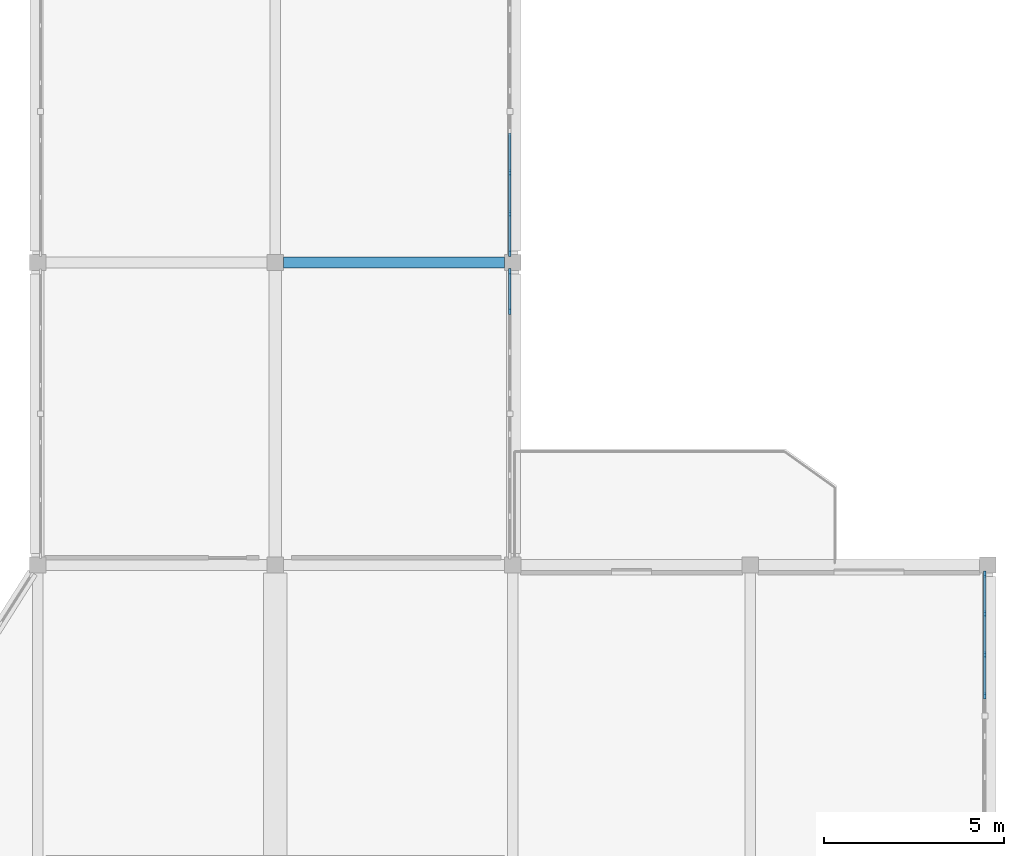
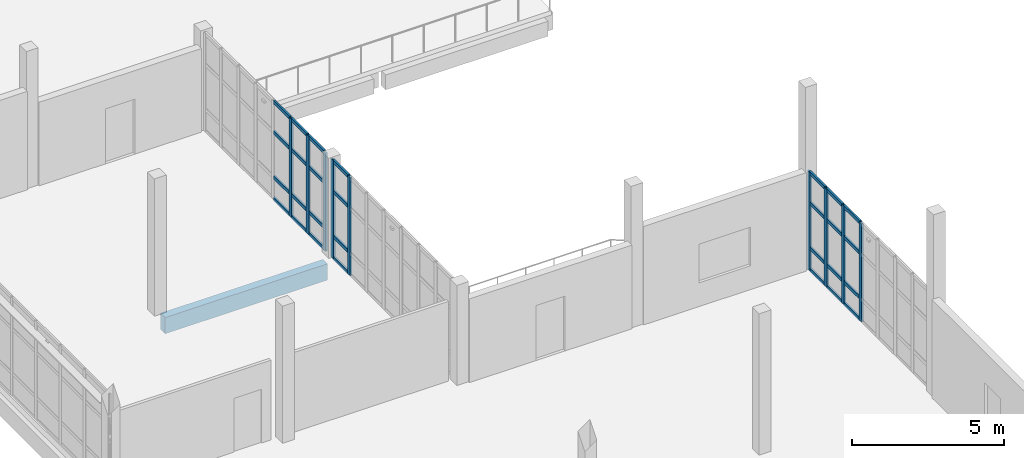
# One storey, part 34 of 78: 37 members, 1 beam, 3 elements without a shape of their own.
"""IFC4 building model written with IfcOpenShell, lengths in metres."""

from ifc_helpers import new_model, si_unit, direction, frame, origin, origin_2d, place, context, subcontext, project, spatial, rectangle, extrude, material, material_profile, profile_set, type_object, element, aggregate, save


model = new_model("IFC4")

# Units and contexts
model_context = context("Model", 3, precision=1e-05, world=origin(), true_north=direction((0.0, 1.0)))
body_context = subcontext(model_context, "Body", "Model", "MODEL_VIEW")
ifc_project = project(units=[si_unit("LENGTHUNIT", "METRE"), si_unit("AREAUNIT", "SQUARE_METRE"), si_unit("VOLUMEUNIT", "CUBIC_METRE"), si_unit("PLANEANGLEUNIT", "RADIAN"), si_unit("MASSUNIT", "GRAM", prefix="KILO")], contexts=[model_context])

# Site, building, storey
site_placement = place(None, origin())
site = spatial("IfcSite", under=ifc_project, at=site_placement, CompositionType="ELEMENT")
building_placement = place(site_placement, origin())
building = spatial("IfcBuilding", under=site, at=building_placement, Name="Qaldarim Faculty of Natural and Applied Sciences", CompositionType="ELEMENT")
storey_placement = place(building_placement, frame((0.0, 0.0, 18.60009765625)))
storey = spatial("IfcBuildingStorey", under=building, at=storey_placement, Name="L04", CompositionType="ELEMENT", Elevation=18.60009765625)

# Curtain wall, members
ifc_material_1 = material(Name="Anodised aluminium AW-6063", Category="aluminium")
curtain_wall_type = type_object("IfcCurtainWallType", Name="CurtainWallSystem-M1200", PredefinedType="USERDEFINED", material=ifc_material_1)
curtain_wall_1_placement = place(storey_placement, origin())
curtain_wall_1 = element("IfcCurtainWall", 1, at=curtain_wall_1_placement, inside=storey, type_object=curtain_wall_type, Name="Curtain wall CW-L04-E-X25Y11", ObjectType="STICK CURTAIN WALL", PredefinedType="USERDEFINED")
ifc_material_profile_1 = material_profile(ifc_material_1, rectangle(XDim=0.070068359375, YDim=0.179931640625, at=origin_2d()), Name="ALU-M70x180")
ifc_profile_set_1 = profile_set([ifc_material_profile_1], Name="Anodised aluminium AW-6063")
member_type_1 = type_object("IfcMemberType", Name="Mullion-ALU70x180", PredefinedType="MULLION", material=ifc_profile_set_1)
member_1_placement = place(storey_placement, frame((164.919921875, 91.04296875, 0.0), z_axis=(0.0, 0.0, 1.0), x_axis=(-1.0, 0.0, 0.0)))
member_1 = element("IfcMember", 2, at=member_1_placement, type_object=member_type_1, Name="Mullion 7 of CW-L04-E-X25Y11", PredefinedType="MULLION", context=body_context, shape_type="SweptSolid", body=[
    extrude(rectangle(XDim=0.070068359375, YDim=0.179931640625, at=origin_2d()), origin(), (0.0, 0.0, 1.0), 3.93994140625),
])
member_2_placement = place(storey_placement, frame((164.919921875, 92.14501953125, 0.0), z_axis=(0.0, 0.0, 1.0), x_axis=(-1.0, 0.0, 0.0)))
member_2 = element("IfcMember", 3, at=member_2_placement, type_object=member_type_1, Name="Mullion 8 of CW-L04-E-X25Y11", PredefinedType="MULLION", context=body_context, shape_type="SweptSolid", body=[
    extrude(rectangle(XDim=0.070068359375, YDim=0.179931640625, at=origin_2d()), origin(), (0.0, 0.0, 1.0), 3.93994140625),
])

curtain_wall_2_placement = place(storey_placement, origin())
curtain_wall_2 = element("IfcCurtainWall", 4, at=curtain_wall_2_placement, inside=storey, type_object=curtain_wall_type, Name="Curtain wall CW-L04-E-X25Y12", ObjectType="STICK CURTAIN WALL", PredefinedType="USERDEFINED")
member_3_placement = place(storey_placement, frame((164.919921875, 92.655029296875, 0.0), z_axis=(0.0, 0.0, 1.0), x_axis=(-1.0, 0.0, 0.0)))
member_3 = element("IfcMember", 5, at=member_3_placement, type_object=member_type_1, Name="Mullion 1 of CW-L04-E-X25Y12", PredefinedType="MULLION", context=body_context, shape_type="SweptSolid", body=[
    extrude(rectangle(XDim=0.070068359375, YDim=0.179931640625, at=origin_2d()), origin(), (0.0, 0.0, 1.0), 3.93994140625),
])
member_4_placement = place(storey_placement, frame((164.919921875, 93.757080078125, 0.0), z_axis=(0.0, 0.0, 1.0), x_axis=(-1.0, 0.0, 0.0)))
member_4 = element("IfcMember", 6, at=member_4_placement, type_object=member_type_1, Name="Mullion 2 of CW-L04-E-X25Y12", PredefinedType="MULLION", context=body_context, shape_type="SweptSolid", body=[
    extrude(rectangle(XDim=0.070068359375, YDim=0.179931640625, at=origin_2d()), origin(), (0.0, 0.0, 1.0), 3.93994140625),
])
member_5_placement = place(storey_placement, frame((164.919921875, 94.894287109375, 0.0), z_axis=(0.0, 0.0, 1.0), x_axis=(-1.0, 0.0, 0.0)))
member_5 = element("IfcMember", 7, at=member_5_placement, type_object=member_type_1, Name="Mullion 3 of CW-L04-E-X25Y12", PredefinedType="MULLION", context=body_context, shape_type="SweptSolid", body=[
    extrude(rectangle(XDim=0.070068359375, YDim=0.179931640625, at=origin_2d()), origin(), (0.0, 0.0, 1.0), 3.93994140625),
])

curtain_wall_3_placement = place(storey_placement, origin())
curtain_wall_3 = element("IfcCurtainWall", 8, at=curtain_wall_3_placement, inside=storey, type_object=curtain_wall_type, Name="Curtain wall CW-L04-E-X27Y10", ObjectType="STICK CURTAIN WALL", PredefinedType="USERDEFINED")
member_6_placement = place(storey_placement, frame((178.1201171875, 80.36865234375, 0.0), z_axis=(0.0, 0.0, 1.0), x_axis=(-1.0, 0.0, 0.0)))
member_6 = element("IfcMember", 9, at=member_6_placement, type_object=member_type_1, Name="Mullion 5 of CW-L04-E-X27Y10", PredefinedType="MULLION", context=body_context, shape_type="SweptSolid", body=[
    extrude(rectangle(XDim=0.070068359375, YDim=0.179931640625, at=origin_2d()), origin(), (0.0, 0.0, 1.0), 3.93994140625),
])
member_7_placement = place(storey_placement, frame((178.1201171875, 81.505615234375, 0.0), z_axis=(0.0, 0.0, 1.0), x_axis=(-1.0, 0.0, 0.0)))
member_7 = element("IfcMember", 10, at=member_7_placement, type_object=member_type_1, Name="Mullion 6 of CW-L04-E-X27Y10", PredefinedType="MULLION", context=body_context, shape_type="SweptSolid", body=[
    extrude(rectangle(XDim=0.070068359375, YDim=0.179931640625, at=origin_2d()), origin(), (0.0, 0.0, 1.0), 3.93994140625),
])
member_8_placement = place(storey_placement, frame((178.1201171875, 82.642822265625, 0.0), z_axis=(0.0, 0.0, 1.0), x_axis=(-1.0, 0.0, 0.0)))
member_8 = element("IfcMember", 11, at=member_8_placement, type_object=member_type_1, Name="Mullion 7 of CW-L04-E-X27Y10", PredefinedType="MULLION", context=body_context, shape_type="SweptSolid", body=[
    extrude(rectangle(XDim=0.070068359375, YDim=0.179931640625, at=origin_2d()), origin(), (0.0, 0.0, 1.0), 3.93994140625),
])
member_9_placement = place(storey_placement, frame((178.1201171875, 83.7451171875, 0.0), z_axis=(0.0, 0.0, 1.0), x_axis=(-1.0, 0.0, 0.0)))
member_9 = element("IfcMember", 12, at=member_9_placement, type_object=member_type_1, Name="Mullion 8 of CW-L04-E-X27Y10", PredefinedType="MULLION", context=body_context, shape_type="SweptSolid", body=[
    extrude(rectangle(XDim=0.070068359375, YDim=0.179931640625, at=origin_2d()), origin(), (0.0, 0.0, 1.0), 3.93994140625),
])

# Beam
ifc_material_2 = material(Name="Concrete C40/50", Category="concrete")
ifc_material_profile_2 = material_profile(ifc_material_2, rectangle(XDim=0.300048828125, YDim=0.64990234375, at=origin_2d()), Name="RC-B300x650")
ifc_profile_set_2 = profile_set([ifc_material_profile_2], Name="Concrete C40/50")
beam_type = type_object("IfcBeamType", Name="PrimaryBeam-RC300x650", PredefinedType="BEAM", material=ifc_profile_set_2)
beam_placement = place(storey_placement, frame((158.625, 92.39990234375, -0.585205078125), z_axis=(1.0, 0.0, 0.0), x_axis=(0.0, 1.0, 0.0)))
element("IfcBeam", 13, at=beam_placement, inside=storey, type_object=beam_type, Name="Beam RC-B300x650 L03 X25-X26/Y12", PredefinedType="BEAM", context=body_context, shape_type="SweptSolid", body=[
    extrude(rectangle(XDim=0.300048828125, YDim=0.64990234375, at=origin_2d()), origin(), (0.0, 0.0, 1.0), 6.14990234375),
])

# Member
ifc_material_profile_3 = material_profile(ifc_material_1, rectangle(XDim=0.070068359375, YDim=0.139892578125, at=origin_2d()), Name="ALU-T70x140")
ifc_profile_set_3 = profile_set([ifc_material_profile_3], Name="Anodised aluminium AW-6063")
member_type_2 = type_object("IfcMemberType", Name="Transom-ALU70x140", PredefinedType="USERDEFINED", material=ifc_profile_set_3)
member_10_placement = place(storey_placement, frame((164.919921875, 91.077880859375, 0.034912109375), z_axis=(0.0, 1.0, 0.0), x_axis=(-1.0, 0.0, 0.0)))
member_10 = element("IfcMember", 14, at=member_10_placement, type_object=member_type_2, Name="Transom 7-1 of CW-L04-E-X25Y11", ObjectType="TRANSOM", PredefinedType="USERDEFINED", context=body_context, shape_type="SweptSolid", body=[
    extrude(rectangle(XDim=0.070068359375, YDim=0.139892578125, at=origin_2d()), origin(), (0.0, 0.0, 1.0), 1.0322265625),
])

member_11_placement = place(storey_placement, frame((164.919921875, 91.077880859375, 0.89990234375), z_axis=(0.0, 1.0, 0.0), x_axis=(-1.0, 0.0, 0.0)))
member_11 = element("IfcMember", 15, at=member_11_placement, type_object=member_type_2, Name="Transom 7-2 of CW-L04-E-X25Y11", ObjectType="TRANSOM", PredefinedType="USERDEFINED", context=body_context, shape_type="SweptSolid", body=[
    extrude(rectangle(XDim=0.070068359375, YDim=0.139892578125, at=origin_2d()), origin(), (0.0, 0.0, 1.0), 1.0322265625),
])

member_12_placement = place(storey_placement, frame((164.919921875, 91.077880859375, 2.699951171875), z_axis=(0.0, 1.0, 0.0), x_axis=(-1.0, 0.0, 0.0)))
member_12 = element("IfcMember", 16, at=member_12_placement, type_object=member_type_2, Name="Transom 7-3 of CW-L04-E-X25Y11", ObjectType="TRANSOM", PredefinedType="USERDEFINED", context=body_context, shape_type="SweptSolid", body=[
    extrude(rectangle(XDim=0.070068359375, YDim=0.139892578125, at=origin_2d()), origin(), (0.0, 0.0, 1.0), 1.0322265625),
])

member_13_placement = place(storey_placement, frame((164.919921875, 91.077880859375, 3.90478515625), z_axis=(0.0, 1.0, 0.0), x_axis=(-1.0, 0.0, 0.0)))
member_13 = element("IfcMember", 17, at=member_13_placement, type_object=member_type_2, Name="Transom 7-4 of CW-L04-E-X25Y11", ObjectType="TRANSOM", PredefinedType="USERDEFINED", context=body_context, shape_type="SweptSolid", body=[
    extrude(rectangle(XDim=0.070068359375, YDim=0.139892578125, at=origin_2d()), origin(), (0.0, 0.0, 1.0), 1.0322265625),
])

aggregate(curtain_wall_1, [member_1, member_2, member_10, member_11, member_12, member_13])

member_14_placement = place(storey_placement, frame((164.919921875, 92.68994140625, 0.034912109375), z_axis=(0.0, 1.0, 0.0), x_axis=(-1.0, 0.0, 0.0)))
member_14 = element("IfcMember", 18, at=member_14_placement, type_object=member_type_2, Name="Transom 1-1 of CW-L04-E-X25Y12", ObjectType="TRANSOM", PredefinedType="USERDEFINED", context=body_context, shape_type="SweptSolid", body=[
    extrude(rectangle(XDim=0.070068359375, YDim=0.139892578125, at=origin_2d()), origin(), (0.0, 0.0, 1.0), 1.0322265625),
])

member_15_placement = place(storey_placement, frame((164.919921875, 92.68994140625, 0.89990234375), z_axis=(0.0, 1.0, 0.0), x_axis=(-1.0, 0.0, 0.0)))
member_15 = element("IfcMember", 19, at=member_15_placement, type_object=member_type_2, Name="Transom 1-2 of CW-L04-E-X25Y12", ObjectType="TRANSOM", PredefinedType="USERDEFINED", context=body_context, shape_type="SweptSolid", body=[
    extrude(rectangle(XDim=0.070068359375, YDim=0.139892578125, at=origin_2d()), origin(), (0.0, 0.0, 1.0), 1.0322265625),
])

member_16_placement = place(storey_placement, frame((164.919921875, 92.68994140625, 2.699951171875), z_axis=(0.0, 1.0, 0.0), x_axis=(-1.0, 0.0, 0.0)))
member_16 = element("IfcMember", 20, at=member_16_placement, type_object=member_type_2, Name="Transom 1-3 of CW-L04-E-X25Y12", ObjectType="TRANSOM", PredefinedType="USERDEFINED", context=body_context, shape_type="SweptSolid", body=[
    extrude(rectangle(XDim=0.070068359375, YDim=0.139892578125, at=origin_2d()), origin(), (0.0, 0.0, 1.0), 1.0322265625),
])

member_17_placement = place(storey_placement, frame((164.919921875, 92.68994140625, 3.90478515625), z_axis=(0.0, 1.0, 0.0), x_axis=(-1.0, 0.0, 0.0)))
member_17 = element("IfcMember", 21, at=member_17_placement, type_object=member_type_2, Name="Transom 1-4 of CW-L04-E-X25Y12", ObjectType="TRANSOM", PredefinedType="USERDEFINED", context=body_context, shape_type="SweptSolid", body=[
    extrude(rectangle(XDim=0.070068359375, YDim=0.139892578125, at=origin_2d()), origin(), (0.0, 0.0, 1.0), 1.0322265625),
])

member_18_placement = place(storey_placement, frame((164.919921875, 93.7919921875, 0.034912109375), z_axis=(0.0, 1.0, 0.0), x_axis=(-1.0, 0.0, 0.0)))
member_18 = element("IfcMember", 22, at=member_18_placement, type_object=member_type_2, Name="Transom 2-1 of CW-L04-E-X25Y12", ObjectType="TRANSOM", PredefinedType="USERDEFINED", context=body_context, shape_type="SweptSolid", body=[
    extrude(rectangle(XDim=0.070068359375, YDim=0.139892578125, at=origin_2d()), origin(), (0.0, 0.0, 1.0), 1.0673828125),
])

member_19_placement = place(storey_placement, frame((164.919921875, 93.7919921875, 0.89990234375), z_axis=(0.0, 1.0, 0.0), x_axis=(-1.0, 0.0, 0.0)))
member_19 = element("IfcMember", 23, at=member_19_placement, type_object=member_type_2, Name="Transom 2-2 of CW-L04-E-X25Y12", ObjectType="TRANSOM", PredefinedType="USERDEFINED", context=body_context, shape_type="SweptSolid", body=[
    extrude(rectangle(XDim=0.070068359375, YDim=0.139892578125, at=origin_2d()), origin(), (0.0, 0.0, 1.0), 1.0673828125),
])

member_20_placement = place(storey_placement, frame((164.919921875, 93.7919921875, 2.699951171875), z_axis=(0.0, 1.0, 0.0), x_axis=(-1.0, 0.0, 0.0)))
member_20 = element("IfcMember", 24, at=member_20_placement, type_object=member_type_2, Name="Transom 2-3 of CW-L04-E-X25Y12", ObjectType="TRANSOM", PredefinedType="USERDEFINED", context=body_context, shape_type="SweptSolid", body=[
    extrude(rectangle(XDim=0.070068359375, YDim=0.139892578125, at=origin_2d()), origin(), (0.0, 0.0, 1.0), 1.0673828125),
])

member_21_placement = place(storey_placement, frame((164.919921875, 93.7919921875, 3.90478515625), z_axis=(0.0, 1.0, 0.0), x_axis=(-1.0, 0.0, 0.0)))
member_21 = element("IfcMember", 25, at=member_21_placement, type_object=member_type_2, Name="Transom 2-4 of CW-L04-E-X25Y12", ObjectType="TRANSOM", PredefinedType="USERDEFINED", context=body_context, shape_type="SweptSolid", body=[
    extrude(rectangle(XDim=0.070068359375, YDim=0.139892578125, at=origin_2d()), origin(), (0.0, 0.0, 1.0), 1.0673828125),
])

member_22_placement = place(storey_placement, frame((164.919921875, 94.92919921875, 0.034912109375), z_axis=(0.0, 1.0, 0.0), x_axis=(-1.0, 0.0, 0.0)))
member_22 = element("IfcMember", 26, at=member_22_placement, type_object=member_type_2, Name="Transom 3-1 of CW-L04-E-X25Y12", ObjectType="TRANSOM", PredefinedType="USERDEFINED", context=body_context, shape_type="SweptSolid", body=[
    extrude(rectangle(XDim=0.070068359375, YDim=0.139892578125, at=origin_2d()), origin(), (0.0, 0.0, 1.0), 1.067138671875),
])

member_23_placement = place(storey_placement, frame((164.919921875, 94.92919921875, 0.89990234375), z_axis=(0.0, 1.0, 0.0), x_axis=(-1.0, 0.0, 0.0)))
member_23 = element("IfcMember", 27, at=member_23_placement, type_object=member_type_2, Name="Transom 3-2 of CW-L04-E-X25Y12", ObjectType="TRANSOM", PredefinedType="USERDEFINED", context=body_context, shape_type="SweptSolid", body=[
    extrude(rectangle(XDim=0.070068359375, YDim=0.139892578125, at=origin_2d()), origin(), (0.0, 0.0, 1.0), 1.067138671875),
])

member_24_placement = place(storey_placement, frame((164.919921875, 94.92919921875, 2.699951171875), z_axis=(0.0, 1.0, 0.0), x_axis=(-1.0, 0.0, 0.0)))
member_24 = element("IfcMember", 28, at=member_24_placement, type_object=member_type_2, Name="Transom 3-3 of CW-L04-E-X25Y12", ObjectType="TRANSOM", PredefinedType="USERDEFINED", context=body_context, shape_type="SweptSolid", body=[
    extrude(rectangle(XDim=0.070068359375, YDim=0.139892578125, at=origin_2d()), origin(), (0.0, 0.0, 1.0), 1.067138671875),
])

member_25_placement = place(storey_placement, frame((164.919921875, 94.92919921875, 3.90478515625), z_axis=(0.0, 1.0, 0.0), x_axis=(-1.0, 0.0, 0.0)))
member_25 = element("IfcMember", 29, at=member_25_placement, type_object=member_type_2, Name="Transom 3-4 of CW-L04-E-X25Y12", ObjectType="TRANSOM", PredefinedType="USERDEFINED", context=body_context, shape_type="SweptSolid", body=[
    extrude(rectangle(XDim=0.070068359375, YDim=0.139892578125, at=origin_2d()), origin(), (0.0, 0.0, 1.0), 1.067138671875),
])

aggregate(curtain_wall_2, [member_3, member_4, member_5, member_14, member_15, member_16, member_17, member_18, member_19, member_20, member_21, member_22, member_23, member_24, member_25])

member_26_placement = place(storey_placement, frame((178.1201171875, 80.403564453125, 0.034912109375), z_axis=(0.0, 1.0, 0.0), x_axis=(-1.0, 0.0, 0.0)))
member_26 = element("IfcMember", 30, at=member_26_placement, type_object=member_type_2, Name="Transom 5-1 of CW-L04-E-X27Y10", ObjectType="TRANSOM", PredefinedType="USERDEFINED", context=body_context, shape_type="SweptSolid", body=[
    extrude(rectangle(XDim=0.070068359375, YDim=0.139892578125, at=origin_2d()), origin(), (0.0, 0.0, 1.0), 1.067138671875),
])

member_27_placement = place(storey_placement, frame((178.1201171875, 80.403564453125, 0.89990234375), z_axis=(0.0, 1.0, 0.0), x_axis=(-1.0, 0.0, 0.0)))
member_27 = element("IfcMember", 31, at=member_27_placement, type_object=member_type_2, Name="Transom 5-2 of CW-L04-E-X27Y10", ObjectType="TRANSOM", PredefinedType="USERDEFINED", context=body_context, shape_type="SweptSolid", body=[
    extrude(rectangle(XDim=0.070068359375, YDim=0.139892578125, at=origin_2d()), origin(), (0.0, 0.0, 1.0), 1.067138671875),
])

member_28_placement = place(storey_placement, frame((178.1201171875, 80.403564453125, 2.699951171875), z_axis=(0.0, 1.0, 0.0), x_axis=(-1.0, 0.0, 0.0)))
member_28 = element("IfcMember", 32, at=member_28_placement, type_object=member_type_2, Name="Transom 5-3 of CW-L04-E-X27Y10", ObjectType="TRANSOM", PredefinedType="USERDEFINED", context=body_context, shape_type="SweptSolid", body=[
    extrude(rectangle(XDim=0.070068359375, YDim=0.139892578125, at=origin_2d()), origin(), (0.0, 0.0, 1.0), 1.067138671875),
])

member_29_placement = place(storey_placement, frame((178.1201171875, 80.403564453125, 3.90478515625), z_axis=(0.0, 1.0, 0.0), x_axis=(-1.0, 0.0, 0.0)))
member_29 = element("IfcMember", 33, at=member_29_placement, type_object=member_type_2, Name="Transom 5-4 of CW-L04-E-X27Y10", ObjectType="TRANSOM", PredefinedType="USERDEFINED", context=body_context, shape_type="SweptSolid", body=[
    extrude(rectangle(XDim=0.070068359375, YDim=0.139892578125, at=origin_2d()), origin(), (0.0, 0.0, 1.0), 1.067138671875),
])

member_30_placement = place(storey_placement, frame((178.1201171875, 81.540771484375, 0.034912109375), z_axis=(0.0, 1.0, 0.0), x_axis=(-1.0, 0.0, 0.0)))
member_30 = element("IfcMember", 34, at=member_30_placement, type_object=member_type_2, Name="Transom 6-1 of CW-L04-E-X27Y10", ObjectType="TRANSOM", PredefinedType="USERDEFINED", context=body_context, shape_type="SweptSolid", body=[
    extrude(rectangle(XDim=0.070068359375, YDim=0.139892578125, at=origin_2d()), origin(), (0.0, 0.0, 1.0), 1.067138671875),
])

member_31_placement = place(storey_placement, frame((178.1201171875, 81.540771484375, 0.89990234375), z_axis=(0.0, 1.0, 0.0), x_axis=(-1.0, 0.0, 0.0)))
member_31 = element("IfcMember", 35, at=member_31_placement, type_object=member_type_2, Name="Transom 6-2 of CW-L04-E-X27Y10", ObjectType="TRANSOM", PredefinedType="USERDEFINED", context=body_context, shape_type="SweptSolid", body=[
    extrude(rectangle(XDim=0.070068359375, YDim=0.139892578125, at=origin_2d()), origin(), (0.0, 0.0, 1.0), 1.067138671875),
])

member_32_placement = place(storey_placement, frame((178.1201171875, 81.540771484375, 2.699951171875), z_axis=(0.0, 1.0, 0.0), x_axis=(-1.0, 0.0, 0.0)))
member_32 = element("IfcMember", 36, at=member_32_placement, type_object=member_type_2, Name="Transom 6-3 of CW-L04-E-X27Y10", ObjectType="TRANSOM", PredefinedType="USERDEFINED", context=body_context, shape_type="SweptSolid", body=[
    extrude(rectangle(XDim=0.070068359375, YDim=0.139892578125, at=origin_2d()), origin(), (0.0, 0.0, 1.0), 1.067138671875),
])

member_33_placement = place(storey_placement, frame((178.1201171875, 81.540771484375, 3.90478515625), z_axis=(0.0, 1.0, 0.0), x_axis=(-1.0, 0.0, 0.0)))
member_33 = element("IfcMember", 37, at=member_33_placement, type_object=member_type_2, Name="Transom 6-4 of CW-L04-E-X27Y10", ObjectType="TRANSOM", PredefinedType="USERDEFINED", context=body_context, shape_type="SweptSolid", body=[
    extrude(rectangle(XDim=0.070068359375, YDim=0.139892578125, at=origin_2d()), origin(), (0.0, 0.0, 1.0), 1.067138671875),
])

member_34_placement = place(storey_placement, frame((178.1201171875, 82.677978515625, 0.034912109375), z_axis=(0.0, 1.0, 0.0), x_axis=(-1.0, 0.0, 0.0)))
member_34 = element("IfcMember", 38, at=member_34_placement, type_object=member_type_2, Name="Transom 7-1 of CW-L04-E-X27Y10", ObjectType="TRANSOM", PredefinedType="USERDEFINED", context=body_context, shape_type="SweptSolid", body=[
    extrude(rectangle(XDim=0.070068359375, YDim=0.139892578125, at=origin_2d()), origin(), (0.0, 0.0, 1.0), 1.031982421875),
])

member_35_placement = place(storey_placement, frame((178.1201171875, 82.677978515625, 0.89990234375), z_axis=(0.0, 1.0, 0.0), x_axis=(-1.0, 0.0, 0.0)))
member_35 = element("IfcMember", 39, at=member_35_placement, type_object=member_type_2, Name="Transom 7-2 of CW-L04-E-X27Y10", ObjectType="TRANSOM", PredefinedType="USERDEFINED", context=body_context, shape_type="SweptSolid", body=[
    extrude(rectangle(XDim=0.070068359375, YDim=0.139892578125, at=origin_2d()), origin(), (0.0, 0.0, 1.0), 1.031982421875),
])

member_36_placement = place(storey_placement, frame((178.1201171875, 82.677978515625, 2.699951171875), z_axis=(0.0, 1.0, 0.0), x_axis=(-1.0, 0.0, 0.0)))
member_36 = element("IfcMember", 40, at=member_36_placement, type_object=member_type_2, Name="Transom 7-3 of CW-L04-E-X27Y10", ObjectType="TRANSOM", PredefinedType="USERDEFINED", context=body_context, shape_type="SweptSolid", body=[
    extrude(rectangle(XDim=0.070068359375, YDim=0.139892578125, at=origin_2d()), origin(), (0.0, 0.0, 1.0), 1.031982421875),
])

member_37_placement = place(storey_placement, frame((178.1201171875, 82.677978515625, 3.90478515625), z_axis=(0.0, 1.0, 0.0), x_axis=(-1.0, 0.0, 0.0)))
member_37 = element("IfcMember", 41, at=member_37_placement, type_object=member_type_2, Name="Transom 7-4 of CW-L04-E-X27Y10", ObjectType="TRANSOM", PredefinedType="USERDEFINED", context=body_context, shape_type="SweptSolid", body=[
    extrude(rectangle(XDim=0.070068359375, YDim=0.139892578125, at=origin_2d()), origin(), (0.0, 0.0, 1.0), 1.031982421875),
])

aggregate(curtain_wall_3, [member_6, member_7, member_8, member_9, member_26, member_27, member_28, member_29, member_30, member_31, member_32, member_33, member_34, member_35, member_36, member_37])

save(model, "model.ifc")
